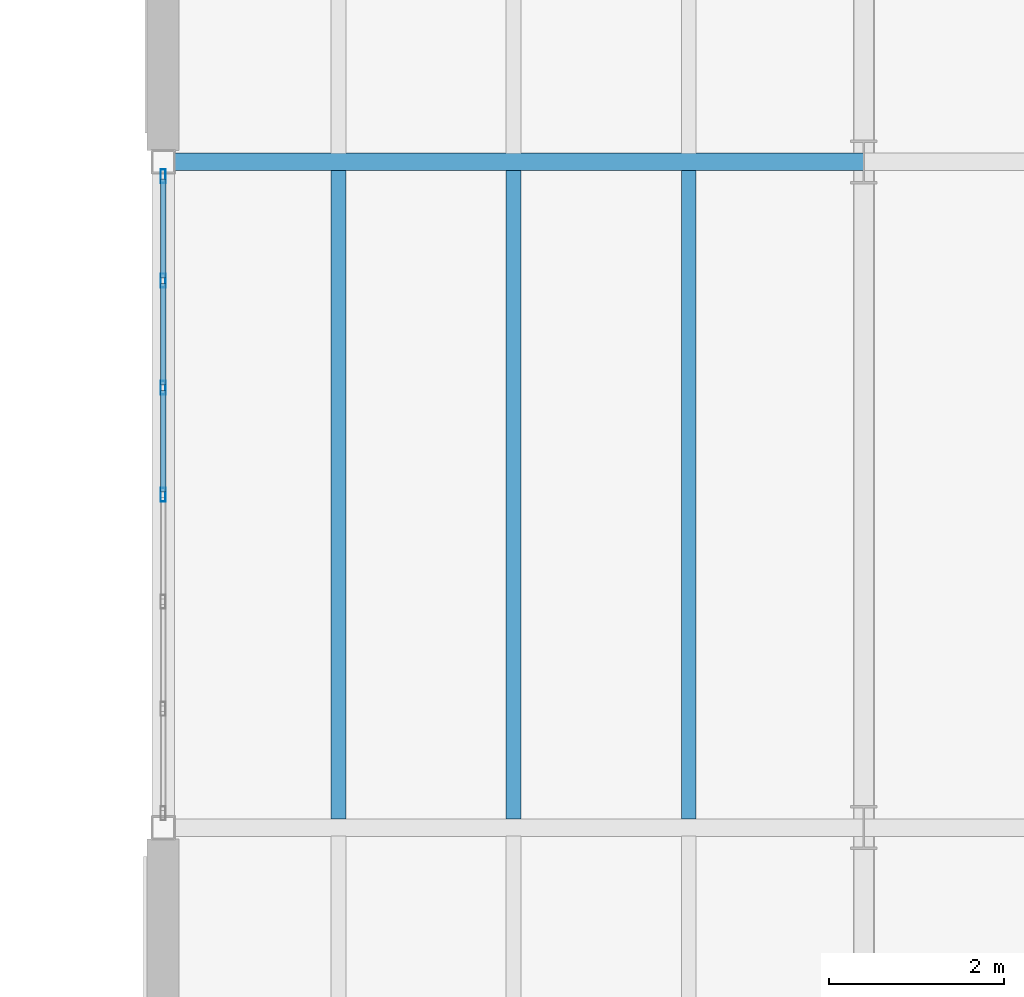
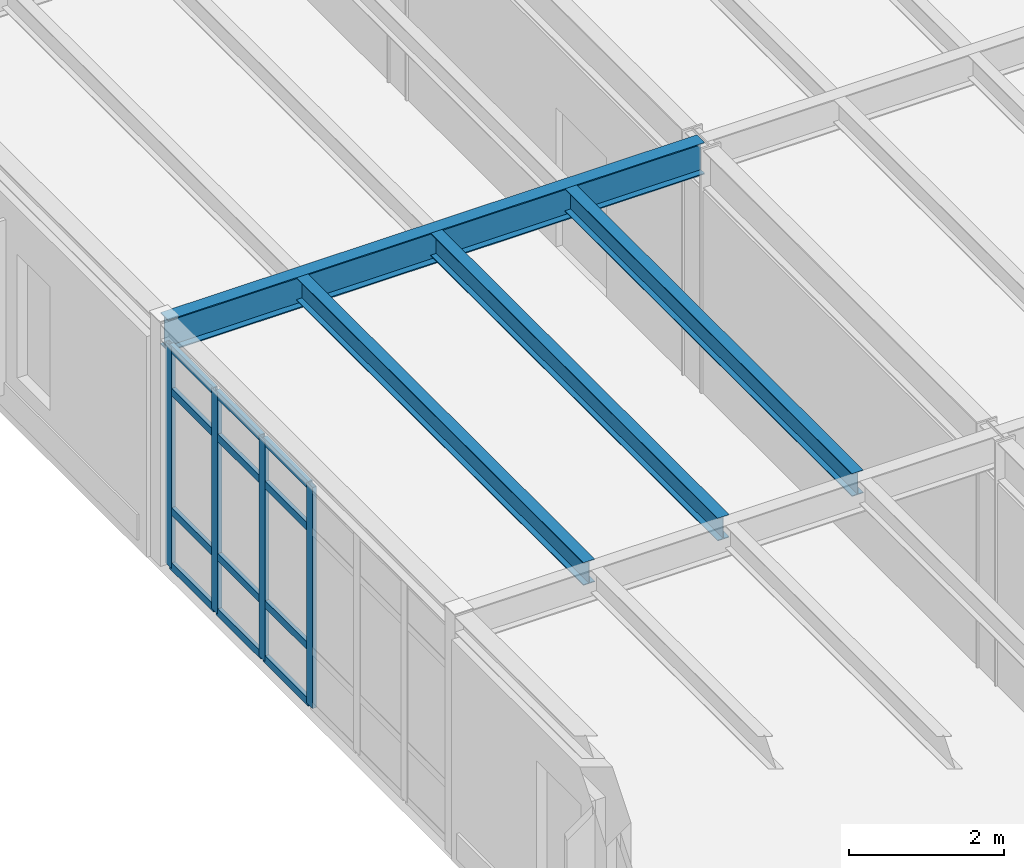
# One storey, part 135 of 189: 16 members, 4 beams, 1 element without a shape of its own.
"""IFC4 building model written with IfcOpenShell, lengths in metres."""

from ifc_helpers import new_model, si_unit, direction, frame, origin, origin_2d, place, context, subcontext, project, spatial, hollow_rectangle, i_section, extrude, material, layer, layer_set, material_profile, profile_set, type_object, element, aggregate, save


model = new_model("IFC4")

# Units and contexts
model_context = context("Model", 3, precision=1e-05, world=origin(), true_north=direction((0.0, 1.0)))
body_context = subcontext(model_context, "Body", "Model", "MODEL_VIEW")
ifc_project = project(units=[si_unit("LENGTHUNIT", "METRE"), si_unit("AREAUNIT", "SQUARE_METRE"), si_unit("VOLUMEUNIT", "CUBIC_METRE"), si_unit("PLANEANGLEUNIT", "RADIAN"), si_unit("MASSUNIT", "GRAM", prefix="KILO")], contexts=[model_context])

# Site, building, storey
site_placement = place(None, origin())
site = spatial("IfcSite", under=ifc_project, at=site_placement, CompositionType="ELEMENT")
building_placement = place(site_placement, origin())
building = spatial("IfcBuilding", under=site, at=building_placement, Name="Montecoro Central Library", CompositionType="ELEMENT")
storey_placement = place(building_placement, frame((0.0, 0.0, 9.179931640625)))
storey = spatial("IfcBuildingStorey", under=building, at=storey_placement, Name="L02", CompositionType="ELEMENT", Elevation=9.179931640625)

# Beams
ifc_material_1 = material(Name="Steel S355", Category="steel")
ifc_material_profile_1 = material_profile(ifc_material_1, i_section(OverallWidth=0.199951171875, OverallDepth=0.5, WebThickness=0.01025390625, FlangeThickness=0.01611328125, at=origin_2d()), Name="IPE 500")
ifc_profile_set_1 = profile_set([ifc_material_profile_1], Name="Steel S355")
beam_type_1 = type_object("IfcBeamType", Name="BM-G-IPE500", PredefinedType="USERDEFINED", material=ifc_profile_set_1)
beam_placement = place(storey_placement, frame((141.0048828125, 88.60009765625, 3.565185546875), z_axis=(1.0, 0.0, 0.0), x_axis=(0.0, 1.0, 0.0)))
element("IfcBeam", 1, at=beam_placement, inside=storey, type_object=beam_type_1, Name="V5-L02-BX-1819-M", ObjectType="GIRDER", PredefinedType="USERDEFINED", context=body_context, shape_type="SweptSolid", body=[
    extrude(i_section(OverallWidth=0.199951171875, OverallDepth=0.5, WebThickness=0.01025390625, FlangeThickness=0.01611328125, at=origin_2d()), origin(), (0.0, 0.0, 1.0), 7.990234375),
])
ifc_material_profile_2 = material_profile(ifc_material_1, i_section(OverallWidth=0.169921875, OverallDepth=0.360107421875, WebThickness=0.008056640625, FlangeThickness=0.0126953125, at=origin_2d()), Name="IPE 360")
ifc_profile_set_2 = profile_set([ifc_material_profile_2], Name="Steel S355")
beam_type_2 = type_object("IfcBeamType", Name="BM-J-IPE360", PredefinedType="JOIST", material=ifc_profile_set_2)
for number, where, z_axis, x_axis, name in (
    (2, (143.0, 81.096923828125, 3.635009765625), (0.0, 1.0, 0.0), (-1.0, 0.0, 0.0), "V5-L02-JS-1819-LM-1"),
    (3, (145.0, 81.096923828125, 3.635009765625), (0.0, 1.0, 0.0), (-1.0, 0.0, 0.0), "V5-L02-JS-1819-LM-2"),
    (4, (147.0, 81.096923828125, 3.635009765625), (0.0, 1.0, 0.0), (-1.0, 0.0, 0.0), "V5-L02-JS-1819-LM-3"),
):
    element("IfcBeam", number, at=place(storey_placement, frame(where, z_axis=z_axis, x_axis=x_axis)), inside=storey, type_object=beam_type_2, Name=name, PredefinedType="JOIST", context=body_context, shape_type="SweptSolid", body=[
        extrude(i_section(OverallWidth=0.169921875, OverallDepth=0.360107421875, WebThickness=0.008056640625, FlangeThickness=0.0126953125, at=origin_2d()), origin(), (0.0, 0.0, 1.0), 7.406005859375),
    ])

# Curtain wall, members
ifc_material_2 = material(Name="Bronze-anodised aluminium and low-E glazing", Category="aluminium")
ifc_layer = layer(ifc_material_2, 0.159912109375)
ifc_layer_set = layer_set([ifc_layer], Name="Bronze-anodised aluminium and low-E glazing")
curtain_wall_type = type_object("IfcCurtainWallType", Name="CWT-054", PredefinedType="NOTDEFINED", material=ifc_layer_set)
curtain_wall_placement = place(storey_placement, origin())
curtain_wall = element("IfcCurtainWall", 5, at=curtain_wall_placement, inside=storey, type_object=curtain_wall_type, Name="V5-L02-CW-W1", PredefinedType="NOTDEFINED")
ifc_material_3 = material(Name="Bronze-anodised aluminium", Category="aluminium")
ifc_material_profile_3 = material_profile(ifc_material_3, hollow_rectangle(XDim=0.06005859375, YDim=0.159912109375, WallThickness=0.00390625, at=origin_2d()), Name="CWM 160x60x4.0")
ifc_profile_set_3 = profile_set([ifc_material_profile_3], Name="Bronze-anodised aluminium")
member_type_1 = type_object("IfcMemberType", Name="CWM-BRZ-60", PredefinedType="MULLION", material=ifc_profile_set_3)
member_1_placement = place(storey_placement, frame((141.0, 88.43701171875, 0.0), z_axis=(0.0, 0.0, 1.0), x_axis=(1.0, 0.0, 0.0)))
member_1 = element("IfcMember", 6, at=member_1_placement, type_object=member_type_1, Name="CW-054 mullion 1", PredefinedType="MULLION", context=body_context, shape_type="SweptSolid", body=[
    extrude(hollow_rectangle(XDim=0.06005859375, YDim=0.159912109375, WallThickness=0.00390625, at=origin_2d()), origin(), (0.0, 0.0, 1.0), 3.47998046875),
])
member_2_placement = place(storey_placement, frame((141.0, 87.24462890625, 0.0), z_axis=(0.0, 0.0, 1.0), x_axis=(1.0, 0.0, 0.0)))
member_2 = element("IfcMember", 7, at=member_2_placement, type_object=member_type_1, Name="CW-054 mullion 2", PredefinedType="MULLION", context=body_context, shape_type="SweptSolid", body=[
    extrude(hollow_rectangle(XDim=0.06005859375, YDim=0.159912109375, WallThickness=0.00390625, at=origin_2d()), origin(), (0.0, 0.0, 1.0), 3.47998046875),
])
member_3_placement = place(storey_placement, frame((141.0, 86.022216796875, 0.0), z_axis=(0.0, 0.0, 1.0), x_axis=(1.0, 0.0, 0.0)))
member_3 = element("IfcMember", 8, at=member_3_placement, type_object=member_type_1, Name="CW-054 mullion 3", PredefinedType="MULLION", context=body_context, shape_type="SweptSolid", body=[
    extrude(hollow_rectangle(XDim=0.06005859375, YDim=0.159912109375, WallThickness=0.00390625, at=origin_2d()), origin(), (0.0, 0.0, 1.0), 3.47998046875),
])
member_4_placement = place(storey_placement, frame((141.0, 84.800048828125, 0.0), z_axis=(0.0, 0.0, 1.0), x_axis=(1.0, 0.0, 0.0)))
member_4 = element("IfcMember", 9, at=member_4_placement, type_object=member_type_1, Name="CW-054 mullion 4", PredefinedType="MULLION", context=body_context, shape_type="SweptSolid", body=[
    extrude(hollow_rectangle(XDim=0.06005859375, YDim=0.159912109375, WallThickness=0.00390625, at=origin_2d()), origin(), (0.0, 0.0, 1.0), 3.47998046875),
])
ifc_material_profile_4 = material_profile(ifc_material_3, hollow_rectangle(XDim=0.06005859375, YDim=0.1201171875, WallThickness=0.00390625, at=origin_2d()), Name="CWT 120x60x4.0")
ifc_profile_set_4 = profile_set([ifc_material_profile_4], Name="Bronze-anodised aluminium")
member_type_2 = type_object("IfcMemberType", Name="CWT-BRZ-60", PredefinedType="USERDEFINED", material=ifc_profile_set_4)
member_5_placement = place(storey_placement, frame((141.0, 88.406982421875, 0.030029296875), z_axis=(0.0, -1.0, 0.0), x_axis=(1.0, 0.0, 0.0)))
member_5 = element("IfcMember", 10, at=member_5_placement, type_object=member_type_2, Name="CW-054 transom 1.1", ObjectType="TRANSOM", PredefinedType="USERDEFINED", context=body_context, shape_type="SweptSolid", body=[
    extrude(hollow_rectangle(XDim=0.06005859375, YDim=0.1201171875, WallThickness=0.00390625, at=origin_2d()), origin(), (0.0, 0.0, 1.0), 1.13232421875),
])
member_6_placement = place(storey_placement, frame((141.0, 88.406982421875, 0.900146484375), z_axis=(0.0, -1.0, 0.0), x_axis=(1.0, 0.0, 0.0)))
member_6 = element("IfcMember", 11, at=member_6_placement, type_object=member_type_2, Name="CW-054 transom 1.2", ObjectType="TRANSOM", PredefinedType="USERDEFINED", context=body_context, shape_type="SweptSolid", body=[
    extrude(hollow_rectangle(XDim=0.06005859375, YDim=0.1201171875, WallThickness=0.00390625, at=origin_2d()), origin(), (0.0, 0.0, 1.0), 1.13232421875),
])
member_7_placement = place(storey_placement, frame((141.0, 88.406982421875, 2.780029296875), z_axis=(0.0, -1.0, 0.0), x_axis=(1.0, 0.0, 0.0)))
member_7 = element("IfcMember", 12, at=member_7_placement, type_object=member_type_2, Name="CW-054 transom 1.3", ObjectType="TRANSOM", PredefinedType="USERDEFINED", context=body_context, shape_type="SweptSolid", body=[
    extrude(hollow_rectangle(XDim=0.06005859375, YDim=0.1201171875, WallThickness=0.00390625, at=origin_2d()), origin(), (0.0, 0.0, 1.0), 1.13232421875),
])
member_8_placement = place(storey_placement, frame((141.0, 88.406982421875, 3.449951171875), z_axis=(0.0, -1.0, 0.0), x_axis=(1.0, 0.0, 0.0)))
member_8 = element("IfcMember", 13, at=member_8_placement, type_object=member_type_2, Name="CW-054 transom 1.4", ObjectType="TRANSOM", PredefinedType="USERDEFINED", context=body_context, shape_type="SweptSolid", body=[
    extrude(hollow_rectangle(XDim=0.06005859375, YDim=0.1201171875, WallThickness=0.00390625, at=origin_2d()), origin(), (0.0, 0.0, 1.0), 1.13232421875),
])
member_9_placement = place(storey_placement, frame((141.0, 87.214599609375, 0.030029296875), z_axis=(0.0, -1.0, 0.0), x_axis=(1.0, 0.0, 0.0)))
member_9 = element("IfcMember", 14, at=member_9_placement, type_object=member_type_2, Name="CW-054 transom 2.1", ObjectType="TRANSOM", PredefinedType="USERDEFINED", context=body_context, shape_type="SweptSolid", body=[
    extrude(hollow_rectangle(XDim=0.06005859375, YDim=0.1201171875, WallThickness=0.00390625, at=origin_2d()), origin(), (0.0, 0.0, 1.0), 1.162353515625),
])
member_10_placement = place(storey_placement, frame((141.0, 87.214599609375, 0.900146484375), z_axis=(0.0, -1.0, 0.0), x_axis=(1.0, 0.0, 0.0)))
member_10 = element("IfcMember", 15, at=member_10_placement, type_object=member_type_2, Name="CW-054 transom 2.2", ObjectType="TRANSOM", PredefinedType="USERDEFINED", context=body_context, shape_type="SweptSolid", body=[
    extrude(hollow_rectangle(XDim=0.06005859375, YDim=0.1201171875, WallThickness=0.00390625, at=origin_2d()), origin(), (0.0, 0.0, 1.0), 1.162353515625),
])
member_11_placement = place(storey_placement, frame((141.0, 87.214599609375, 2.780029296875), z_axis=(0.0, -1.0, 0.0), x_axis=(1.0, 0.0, 0.0)))
member_11 = element("IfcMember", 16, at=member_11_placement, type_object=member_type_2, Name="CW-054 transom 2.3", ObjectType="TRANSOM", PredefinedType="USERDEFINED", context=body_context, shape_type="SweptSolid", body=[
    extrude(hollow_rectangle(XDim=0.06005859375, YDim=0.1201171875, WallThickness=0.00390625, at=origin_2d()), origin(), (0.0, 0.0, 1.0), 1.162353515625),
])
member_12_placement = place(storey_placement, frame((141.0, 87.214599609375, 3.449951171875), z_axis=(0.0, -1.0, 0.0), x_axis=(1.0, 0.0, 0.0)))
member_12 = element("IfcMember", 17, at=member_12_placement, type_object=member_type_2, Name="CW-054 transom 2.4", ObjectType="TRANSOM", PredefinedType="USERDEFINED", context=body_context, shape_type="SweptSolid", body=[
    extrude(hollow_rectangle(XDim=0.06005859375, YDim=0.1201171875, WallThickness=0.00390625, at=origin_2d()), origin(), (0.0, 0.0, 1.0), 1.162353515625),
])
member_13_placement = place(storey_placement, frame((141.0, 85.992431640625, 0.030029296875), z_axis=(0.0, -1.0, 0.0), x_axis=(1.0, 0.0, 0.0)))
member_13 = element("IfcMember", 18, at=member_13_placement, type_object=member_type_2, Name="CW-054 transom 3.1", ObjectType="TRANSOM", PredefinedType="USERDEFINED", context=body_context, shape_type="SweptSolid", body=[
    extrude(hollow_rectangle(XDim=0.06005859375, YDim=0.1201171875, WallThickness=0.00390625, at=origin_2d()), origin(), (0.0, 0.0, 1.0), 1.162353515625),
])
member_14_placement = place(storey_placement, frame((141.0, 85.992431640625, 0.900146484375), z_axis=(0.0, -1.0, 0.0), x_axis=(1.0, 0.0, 0.0)))
member_14 = element("IfcMember", 19, at=member_14_placement, type_object=member_type_2, Name="CW-054 transom 3.2", ObjectType="TRANSOM", PredefinedType="USERDEFINED", context=body_context, shape_type="SweptSolid", body=[
    extrude(hollow_rectangle(XDim=0.06005859375, YDim=0.1201171875, WallThickness=0.00390625, at=origin_2d()), origin(), (0.0, 0.0, 1.0), 1.162353515625),
])
member_15_placement = place(storey_placement, frame((141.0, 85.992431640625, 2.780029296875), z_axis=(0.0, -1.0, 0.0), x_axis=(1.0, 0.0, 0.0)))
member_15 = element("IfcMember", 20, at=member_15_placement, type_object=member_type_2, Name="CW-054 transom 3.3", ObjectType="TRANSOM", PredefinedType="USERDEFINED", context=body_context, shape_type="SweptSolid", body=[
    extrude(hollow_rectangle(XDim=0.06005859375, YDim=0.1201171875, WallThickness=0.00390625, at=origin_2d()), origin(), (0.0, 0.0, 1.0), 1.162353515625),
])
member_16_placement = place(storey_placement, frame((141.0, 85.992431640625, 3.449951171875), z_axis=(0.0, -1.0, 0.0), x_axis=(1.0, 0.0, 0.0)))
member_16 = element("IfcMember", 21, at=member_16_placement, type_object=member_type_2, Name="CW-054 transom 3.4", ObjectType="TRANSOM", PredefinedType="USERDEFINED", context=body_context, shape_type="SweptSolid", body=[
    extrude(hollow_rectangle(XDim=0.06005859375, YDim=0.1201171875, WallThickness=0.00390625, at=origin_2d()), origin(), (0.0, 0.0, 1.0), 1.162353515625),
])
aggregate(curtain_wall, [member_1, member_2, member_3, member_4, member_5, member_6, member_7, member_8, member_9, member_10, member_11, member_12, member_13, member_14, member_15, member_16])

save(model, "model.ifc")
